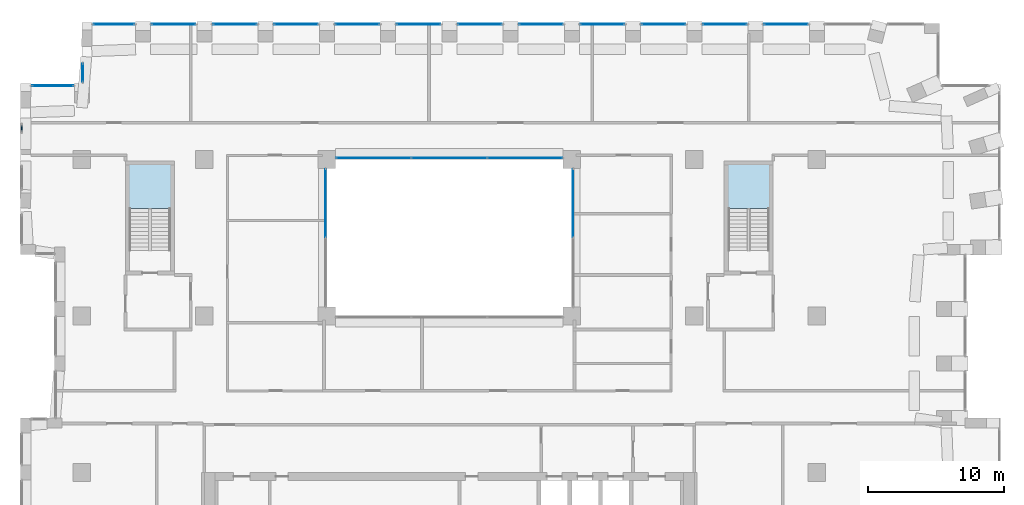
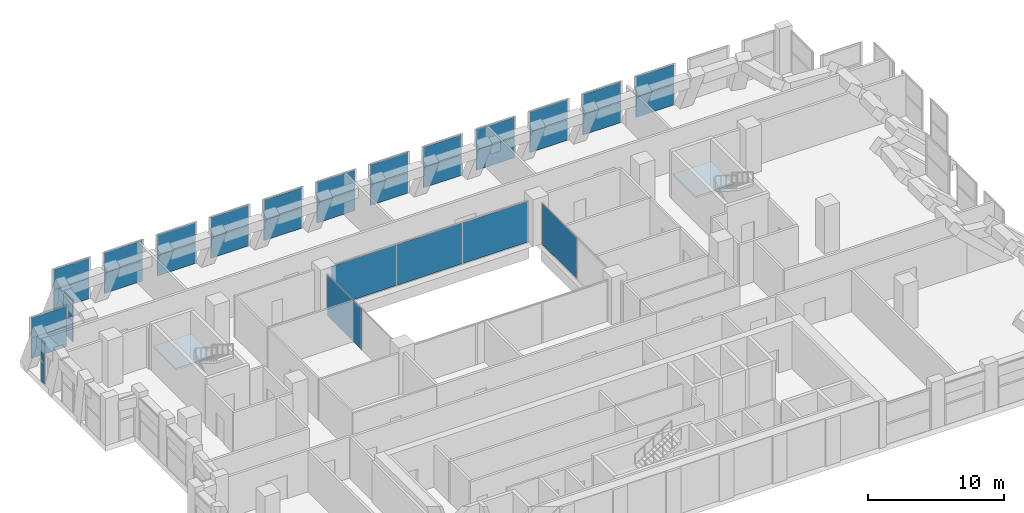
# One storey, part 14 of 20: 35 plates, 2 slabs, 20 elements without a shape of their own.
"""IFC4 building model written with IfcOpenShell, lengths in metres."""

import ifcopenshell
import ifcopenshell.guid

model = None  # the IFC model being written
_history = None  # IfcOwnerHistory: only IFC2X3 demands one
_inside = {}  # id of a spatial element -> (the spatial element, [elements in it])
_under = {}  # id of a project, library or spatial element -> (it, [spatial elements below it])
_declared = {}  # id of a project -> (the project, [libraries it declares])
_typed = {}  # id of a type object -> (the type object, [elements of that type])
_made_of = {}  # id of a material, layer set ... -> (it, [elements and type objects made of it])


def new_model(schema):
    """Start an empty IFC model of exactly this schema.

    Asked for "IFC4X3", IfcOpenShell would pick the latest addendum, in which some entities
    have other attributes; the version numbers below select the first issue.
    IFC2X3 requires an IfcOwnerHistory on every rooted entity: one is made here for all.
    """
    global model, _history
    if schema == "IFC4X3":
        model = ifcopenshell.file(schema_version=(4, 3, 0, 0))
    else:
        model = ifcopenshell.file(schema=schema)
    _inside.clear()
    _under.clear()
    _declared.clear()
    _typed.clear()
    _made_of.clear()
    _history = None
    if model.schema == "IFC2X3":
        org = make("IfcOrganization", Name="unknown")
        user = make(
            "IfcPersonAndOrganization",
            ThePerson=make("IfcPerson", FamilyName="unknown"),
            TheOrganization=org,
        )
        app = make(
            "IfcApplication",
            ApplicationDeveloper=org,
            Version="unknown",
            ApplicationFullName="unknown",
            ApplicationIdentifier="unknown",
        )
        _history = make(
            "IfcOwnerHistory",
            OwningUser=user,
            OwningApplication=app,
            ChangeAction="ADDED",
            CreationDate=0,
        )
    return model


def make(cls, **values):
    """One entity of the class cls with the attributes given. An attribute that is None is left unset."""
    return model.create_entity(
        cls, **{name: value for name, value in values.items() if value is not None}
    )


def rooted(cls, **values):
    """An entity with a GlobalId (a new one), such as an element, a storey or a relation."""
    return make(cls, GlobalId=ifcopenshell.guid.new(), OwnerHistory=_history, **values)


def si_unit(unit_type, name, prefix=None):
    """IfcSIUnit, for example si_unit("LENGTHUNIT", "METRE", prefix="MILLI")."""
    return make("IfcSIUnit", UnitType=unit_type, Prefix=prefix, Name=name)


def assignment(units):
    """IfcUnitAssignment: the units of a project."""
    return None if units is None else make("IfcUnitAssignment", Units=units)


def point(xyz):
    """IfcCartesianPoint."""
    return None if xyz is None else make("IfcCartesianPoint", Coordinates=xyz)


def direction(xyz):
    """IfcDirection."""
    return None if xyz is None else make("IfcDirection", DirectionRatios=xyz)


def frame(location, z_axis=None, x_axis=None):
    """IfcAxis2Placement3D, a coordinate frame: its origin and axes. An axis left out is left unset."""
    return make(
        "IfcAxis2Placement3D",
        Location=point(location),
        Axis=direction(z_axis),
        RefDirection=direction(x_axis),
    )


def frame_2d(location, x_axis=None):
    """IfcAxis2Placement2D, a coordinate frame in the plane: its origin and x axis."""
    return make(
        "IfcAxis2Placement2D", Location=point(location), RefDirection=direction(x_axis)
    )


def origin():
    """The frame at (0, 0, 0) with its axes left unset."""
    return frame((0.0, 0.0, 0.0))


def origin_2d():
    """The frame at (0, 0) in the plane with its x axis left unset."""
    return frame_2d((0.0, 0.0))


def place(relative_to, where):
    """IfcLocalPlacement: puts the frame where relative to a parent placement (None: the world)."""
    return make(
        "IfcLocalPlacement", PlacementRelTo=relative_to, RelativePlacement=where
    )


def context(
    kind, dimensions, precision=None, world=None, true_north=None, identifier=None
):
    """IfcGeometricRepresentationContext, for example the 3D "Model" context."""
    return make(
        "IfcGeometricRepresentationContext",
        ContextIdentifier=identifier,
        ContextType=kind,
        CoordinateSpaceDimension=dimensions,
        Precision=precision,
        WorldCoordinateSystem=world,
        TrueNorth=true_north,
    )


def subcontext(parent, identifier, kind, view, scale=None):
    """IfcGeometricRepresentationSubContext, for example "Body" below "Model"."""
    return make(
        "IfcGeometricRepresentationSubContext",
        ContextIdentifier=identifier,
        ContextType=kind,
        ParentContext=parent,
        TargetScale=scale,
        TargetView=view,
    )


def project(units=None, contexts=None):
    """IfcProject with its units and contexts."""
    return rooted(
        "IfcProject",
        Name="project",
        RepresentationContexts=contexts,
        UnitsInContext=assignment(units),
    )


def spatial(cls, under=None, at=None, **own):
    """A site, building, storey or space (cls), placed at a placement, below another one or the project."""
    s = rooted(cls, ObjectPlacement=at, **own)
    if under is not None:
        _under.setdefault(under.id(), (under, []))[1].append(s)
    return s


def polyline(points):
    """IfcPolyline through the points."""
    return make("IfcPolyline", Points=[point(p) for p in points])


def profile(cls, at=None, kind="AREA", **sizes):
    """A parametric profile (cls). Its sizes go by their IFC names, for example OverallWidth=200.0."""
    return make(cls, ProfileType=kind, Position=at, **sizes)


def rectangle(**sizes):
    """IfcRectangleProfileDef."""
    return profile("IfcRectangleProfileDef", **sizes)


def outline(outer, holes=None, kind="AREA"):
    """IfcArbitraryClosedProfileDef: a profile drawn as a closed curve; with holes, ...WithVoids."""
    if holes is None:
        return make("IfcArbitraryClosedProfileDef", ProfileType=kind, OuterCurve=outer)
    return make(
        "IfcArbitraryProfileDefWithVoids",
        ProfileType=kind,
        OuterCurve=outer,
        InnerCurves=holes,
    )


def extrude(swept, where, along, depth):
    """IfcExtrudedAreaSolid: the profile swept, set in the frame where, extruded along a direction by depth."""
    return make(
        "IfcExtrudedAreaSolid",
        SweptArea=swept,
        Position=where,
        ExtrudedDirection=direction(along),
        Depth=depth,
    )


def shape(context_of_items, identifier, shape_type, items):
    """IfcShapeRepresentation: the items that make up one representation, for example the "Body"."""
    return make(
        "IfcShapeRepresentation",
        ContextOfItems=context_of_items,
        RepresentationIdentifier=identifier,
        RepresentationType=shape_type,
        Items=items,
    )


def material(Name=None, Category=None):
    """IfcMaterial."""
    return make("IfcMaterial", Name=Name, Category=Category)


def layer(
    of_material, thickness, ventilated=None, Name=None, Category=None, Priority=None
):
    """IfcMaterialLayer: one layer of a wall or slab, of a material (None: an air gap)."""
    return make(
        "IfcMaterialLayer",
        Material=of_material,
        LayerThickness=thickness,
        IsVentilated=ventilated,
        Name=Name,
        Category=Category,
        Priority=Priority,
    )


def layer_set(layers, Name=None):
    """IfcMaterialLayerSet."""
    return make("IfcMaterialLayerSet", MaterialLayers=layers, LayerSetName=Name)


def made_of(thing, what):
    """Note that an element or type object is made of a material, layer set ...; save() writes the relation."""
    if what is not None:
        _made_of.setdefault(what.id(), (what, []))[1].append(thing)
    return thing


def type_object(cls, material=None, **own):
    """A type object (cls), such as IfcWallType, which elements share."""
    return made_of(rooted(cls, **own), material)


def element(
    cls,
    number,
    at=None,
    inside=None,
    cuts=None,
    type_object=None,
    material=None,
    context=None,
    identifier="Body",
    shape_type=None,
    held_by="IfcProductDefinitionShape",
    body=None,
    shapes=None,
    **own,
):
    """One element of the class cls, such as IfcWall. Its Tag is "e" and its number.

    at: its placement. inside: the storey or other place that contains it. cuts: it is an
    opening in that element (IfcRelVoidsElement). A single representation is given by context,
    identifier, shape_type and body (its items); several are given by shapes. held_by: the class
    of the entity that holds the representations. save() writes the other relations.
    """
    e = rooted(cls, Tag="e%d" % number, ObjectPlacement=at, **own)
    if body is not None:
        shapes = [shape(context, identifier, shape_type, body)]
    if shapes is not None:
        e.Representation = make(held_by, Representations=shapes)
    if inside is not None:
        _inside.setdefault(inside.id(), (inside, []))[1].append(e)
    if cuts is not None:
        rooted(
            "IfcRelVoidsElement", RelatingBuildingElement=cuts, RelatedOpeningElement=e
        )
    if type_object is not None:
        _typed.setdefault(type_object.id(), (type_object, []))[1].append(e)
    return made_of(e, material)


def aggregate(whole, parts):
    """IfcRelAggregates: a whole, such as a stair, and the parts it consists of."""
    return rooted("IfcRelAggregates", RelatingObject=whole, RelatedObjects=parts)


def save(model, path):
    """Write the relations noted so far, then the file.

    IfcRelAggregates (storeys below a building ...), IfcRelContainedInSpatialStructure (elements
    in a storey), IfcRelDefinesByType, IfcRelAssociatesMaterial and IfcRelDeclares: one each for
    every whole, place, type object, material and project.
    """
    for whole, parts in _under.values():
        aggregate(whole, parts)
    for where, things in _inside.values():
        rooted(
            "IfcRelContainedInSpatialStructure",
            RelatedElements=things,
            RelatingStructure=where,
        )
    for kind, things in _typed.values():
        rooted("IfcRelDefinesByType", RelatedObjects=things, RelatingType=kind)
    for what, things in _made_of.values():
        rooted("IfcRelAssociatesMaterial", RelatedObjects=things, RelatingMaterial=what)
    for by, libraries in _declared.values():
        rooted("IfcRelDeclares", RelatingContext=by, RelatedDefinitions=libraries)
    model.write(path)


model = new_model("IFC4")

# Units and contexts
model_context = context("Model", 3, precision=1e-05, world=origin(), true_north=direction((0.0, 1.0)))
body_context = subcontext(model_context, "Body", "Model", "MODEL_VIEW")
ifc_project = project(units=[si_unit("LENGTHUNIT", "METRE"), si_unit("AREAUNIT", "SQUARE_METRE"), si_unit("VOLUMEUNIT", "CUBIC_METRE"), si_unit("PLANEANGLEUNIT", "RADIAN"), si_unit("MASSUNIT", "GRAM", prefix="KILO")], contexts=[model_context])

# Site, building, storey
site_placement = place(None, origin())
site = spatial("IfcSite", under=ifc_project, at=site_placement, CompositionType="ELEMENT")
building_placement = place(site_placement, origin())
building = spatial("IfcBuilding", under=site, at=building_placement, Name="Brigalow Station Residences", CompositionType="ELEMENT")
storey_placement = place(building_placement, frame((0.0, 0.0, 137.10009765625)))
storey = spatial("IfcBuildingStorey", under=building, at=storey_placement, Name="L39", CompositionType="ELEMENT", Elevation=137.10009765625)

# Curtain wall, plate
ifc_material_1 = material(Name="Aluminium", Category="aluminium")
ifc_layer_1 = layer(ifc_material_1, 0.14990234375)
ifc_layer_set_1 = layer_set([ifc_layer_1], Name="ATRIUM FIRE-RATED GLAZING CURTAIN WALL")
curtain_wall_type_1 = type_object("IfcCurtainWallType", Name="ATRIUM FIRE-RATED GLAZING CURTAIN WALL", PredefinedType="NOTDEFINED", material=ifc_layer_set_1)
curtain_wall_1_placement = place(storey_placement, origin())
curtain_wall_1 = element("IfcCurtainWall", 1, at=curtain_wall_1_placement, inside=storey, type_object=curtain_wall_type_1, Name="L39/cw/atrium-E", PredefinedType="NOTDEFINED")
ifc_material_2 = material(Name="Fire-resisting laminated glazing, FRL -/60/-", Category="glass")
ifc_layer_2 = layer(ifc_material_2, 0.031982421875)
ifc_layer_set_2 = layer_set([ifc_layer_2], Name="ATRIUM FIRE-RATED GLAZING PANEL 32")
plate_type_1 = type_object("IfcPlateType", Name="ATRIUM FIRE-RATED GLAZING PANEL 32", PredefinedType="CURTAIN_PANEL", material=ifc_layer_set_2)
plate_1_placement = place(storey_placement, frame((45.10009765625, 32.284912109375, 0.0), z_axis=(0.0, 0.0, 1.0), x_axis=(0.0, 1.0, 0.0)))
plate_1 = element("IfcPlate", 2, at=plate_1_placement, type_object=plate_type_1, Name="L39/cw/atrium-E/P01-00", PredefinedType="CURTAIN_PANEL", context=body_context, shape_type="SweptSolid", body=[
    extrude(rectangle(XDim=5.010009765625, YDim=0.031982421875, at=origin_2d()), origin(), (0.0, 0.0, 1.0), 3.639892578125),
])
aggregate(curtain_wall_1, [plate_1])

# Curtain wall, plates
curtain_wall_2_placement = place(storey_placement, origin())
curtain_wall_2 = element("IfcCurtainWall", 3, at=curtain_wall_2_placement, inside=storey, type_object=curtain_wall_type_1, Name="L39/cw/atrium-N", PredefinedType="NOTDEFINED")
plate_2_placement = place(storey_placement, frame((41.5517578125, 35.60009765625, 0.0), z_axis=(0.0, 0.0, 1.0), x_axis=(-1.0, 0.0, 0.0)))
plate_2 = element("IfcPlate", 4, at=plate_2_placement, type_object=plate_type_1, Name="L39/cw/atrium-N/P00-00", PredefinedType="CURTAIN_PANEL", context=body_context, shape_type="SweptSolid", body=[
    extrude(rectangle(XDim=5.476806640625, YDim=0.031982421875, at=origin_2d()), origin(), (0.0, 0.0, 1.0), 3.639892578125),
])
plate_3_placement = place(storey_placement, frame((36.0, 35.60009765625, 0.0), z_axis=(0.0, 0.0, 1.0), x_axis=(-1.0, 0.0, 0.0)))
plate_3 = element("IfcPlate", 5, at=plate_3_placement, type_object=plate_type_1, Name="L39/cw/atrium-N/P01-00", PredefinedType="CURTAIN_PANEL", context=body_context, shape_type="SweptSolid", body=[
    extrude(rectangle(XDim=5.506591796875, YDim=0.031982421875, at=origin_2d()), origin(), (0.0, 0.0, 1.0), 3.639892578125),
])
plate_4_placement = place(storey_placement, frame((30.4482421875, 35.60009765625, 0.0), z_axis=(0.0, 0.0, 1.0), x_axis=(-1.0, 0.0, 0.0)))
plate_4 = element("IfcPlate", 6, at=plate_4_placement, type_object=plate_type_1, Name="L39/cw/atrium-N/P02-00", PredefinedType="CURTAIN_PANEL", context=body_context, shape_type="SweptSolid", body=[
    extrude(rectangle(XDim=5.476806640625, YDim=0.031982421875, at=origin_2d()), origin(), (0.0, 0.0, 1.0), 3.639892578125),
])
aggregate(curtain_wall_2, [plate_2, plate_3, plate_4])

# Curtain wall, plate
curtain_wall_3_placement = place(storey_placement, origin())
curtain_wall_3 = element("IfcCurtainWall", 7, at=curtain_wall_3_placement, inside=storey, type_object=curtain_wall_type_1, Name="L39/cw/atrium-W", PredefinedType="NOTDEFINED")
plate_5_placement = place(storey_placement, frame((26.89990234375, 32.284912109375, 0.0), z_axis=(0.0, 0.0, 1.0), x_axis=(0.0, -1.0, 0.0)))
plate_5 = element("IfcPlate", 8, at=plate_5_placement, type_object=plate_type_1, Name="L39/cw/atrium-W/P00-00", PredefinedType="CURTAIN_PANEL", context=body_context, shape_type="SweptSolid", body=[
    extrude(rectangle(XDim=5.010009765625, YDim=0.031982421875, at=origin_2d()), origin(), (0.0, 0.0, 1.0), 3.639892578125),
])
aggregate(curtain_wall_3, [plate_5])

# Curtain wall, plates
ifc_material_3 = material(Name="Aluminium", Category="aluminium")
ifc_layer_3 = layer(ifc_material_3, 0.199951171875)
ifc_layer_set_3 = layer_set([ifc_layer_3], Name="REFUGE FLOOR LOUVRE CURTAIN WALL")
curtain_wall_type_2 = type_object("IfcCurtainWallType", Name="REFUGE FLOOR LOUVRE CURTAIN WALL", PredefinedType="NOTDEFINED", material=ifc_layer_set_3)
curtain_wall_4_placement = place(storey_placement, origin())
curtain_wall_4 = element("IfcCurtainWall", 9, at=curtain_wall_4_placement, inside=storey, type_object=curtain_wall_type_2, Name="L39/cw/louvre-W-L39-23-22", PredefinedType="NOTDEFINED")
ifc_material_4 = material(Name="Aluminium louvre blade", Category="aluminium")
ifc_layer_4 = layer(ifc_material_4, 0.070068359375)
ifc_layer_set_4 = layer_set([ifc_layer_4], Name="REFUGE FLOOR LOUVRE PANEL 70")
plate_type_2 = type_object("IfcPlateType", Name="REFUGE FLOOR LOUVRE PANEL 70", PredefinedType="CURTAIN_PANEL", material=ifc_layer_set_4)
plate_6_placement = place(storey_placement, frame((60.75, 45.425048828125, -0.000244140625), z_axis=(0.0, 0.0, 1.0), x_axis=(-1.0, 0.0, 0.0)))
plate_6 = element("IfcPlate", 10, at=plate_6_placement, type_object=plate_type_2, Name="L39/cw/louvre-W-L39-23-22/P00-00", PredefinedType="CURTAIN_PANEL", context=body_context, shape_type="SweptSolid", body=[
    extrude(rectangle(XDim=3.199951171875, YDim=0.070068359375, at=origin_2d()), origin(), (0.0, 0.0, 1.0), 1.81005859375),
])
plate_7_placement = place(storey_placement, frame((60.75, 45.425048828125, 1.889892578125), z_axis=(0.0, 0.0, 1.0), x_axis=(-1.0, 0.0, 0.0)))
plate_7 = element("IfcPlate", 11, at=plate_7_placement, type_object=plate_type_2, Name="L39/cw/louvre-W-L39-23-22/P00-01", PredefinedType="CURTAIN_PANEL", context=body_context, shape_type="SweptSolid", body=[
    extrude(rectangle(XDim=3.199951171875, YDim=0.070068359375, at=origin_2d()), origin(), (0.0, 0.0, 1.0), 1.72998046875),
])
aggregate(curtain_wall_4, [plate_6, plate_7])

curtain_wall_5_placement = place(storey_placement, origin())
curtain_wall_5 = element("IfcCurtainWall", 12, at=curtain_wall_5_placement, inside=storey, type_object=curtain_wall_type_2, Name="L39/cw/louvre-W-L39-23-23", PredefinedType="NOTDEFINED")
plate_8_placement = place(storey_placement, frame((56.25, 45.425048828125, -0.000244140625), z_axis=(0.0, 0.0, 1.0), x_axis=(-1.0, 0.0, 0.0)))
plate_8 = element("IfcPlate", 13, at=plate_8_placement, type_object=plate_type_2, Name="L39/cw/louvre-W-L39-23-23/P00-00", PredefinedType="CURTAIN_PANEL", context=body_context, shape_type="SweptSolid", body=[
    extrude(rectangle(XDim=3.199951171875, YDim=0.070068359375, at=origin_2d()), origin(), (0.0, 0.0, 1.0), 1.81005859375),
])
plate_9_placement = place(storey_placement, frame((56.25, 45.425048828125, 1.889892578125), z_axis=(0.0, 0.0, 1.0), x_axis=(-1.0, 0.0, 0.0)))
plate_9 = element("IfcPlate", 14, at=plate_9_placement, type_object=plate_type_2, Name="L39/cw/louvre-W-L39-23-23/P00-01", PredefinedType="CURTAIN_PANEL", context=body_context, shape_type="SweptSolid", body=[
    extrude(rectangle(XDim=3.199951171875, YDim=0.070068359375, at=origin_2d()), origin(), (0.0, 0.0, 1.0), 1.72998046875),
])
aggregate(curtain_wall_5, [plate_8, plate_9])

curtain_wall_6_placement = place(storey_placement, origin())
curtain_wall_6 = element("IfcCurtainWall", 15, at=curtain_wall_6_placement, inside=storey, type_object=curtain_wall_type_2, Name="L39/cw/louvre-W-L39-23-24", PredefinedType="NOTDEFINED")
plate_10_placement = place(storey_placement, frame((51.75, 45.425048828125, -0.000244140625), z_axis=(0.0, 0.0, 1.0), x_axis=(-1.0, 0.0, 0.0)))
plate_10 = element("IfcPlate", 16, at=plate_10_placement, type_object=plate_type_2, Name="L39/cw/louvre-W-L39-23-24/P00-00", PredefinedType="CURTAIN_PANEL", context=body_context, shape_type="SweptSolid", body=[
    extrude(rectangle(XDim=3.199951171875, YDim=0.070068359375, at=origin_2d()), origin(), (0.0, 0.0, 1.0), 1.81005859375),
])
plate_11_placement = place(storey_placement, frame((51.75, 45.425048828125, 1.889892578125), z_axis=(0.0, 0.0, 1.0), x_axis=(-1.0, 0.0, 0.0)))
plate_11 = element("IfcPlate", 17, at=plate_11_placement, type_object=plate_type_2, Name="L39/cw/louvre-W-L39-23-24/P00-01", PredefinedType="CURTAIN_PANEL", context=body_context, shape_type="SweptSolid", body=[
    extrude(rectangle(XDim=3.199951171875, YDim=0.070068359375, at=origin_2d()), origin(), (0.0, 0.0, 1.0), 1.72998046875),
])
aggregate(curtain_wall_6, [plate_10, plate_11])

curtain_wall_7_placement = place(storey_placement, origin())
curtain_wall_7 = element("IfcCurtainWall", 18, at=curtain_wall_7_placement, inside=storey, type_object=curtain_wall_type_2, Name="L39/cw/louvre-W-L39-23-25", PredefinedType="NOTDEFINED")
plate_12_placement = place(storey_placement, frame((47.25, 45.425048828125, -0.000244140625), z_axis=(0.0, 0.0, 1.0), x_axis=(-1.0, 0.0, 0.0)))
plate_12 = element("IfcPlate", 19, at=plate_12_placement, type_object=plate_type_2, Name="L39/cw/louvre-W-L39-23-25/P00-00", PredefinedType="CURTAIN_PANEL", context=body_context, shape_type="SweptSolid", body=[
    extrude(rectangle(XDim=3.199951171875, YDim=0.070068359375, at=origin_2d()), origin(), (0.0, 0.0, 1.0), 1.81005859375),
])
plate_13_placement = place(storey_placement, frame((47.25, 45.425048828125, 1.889892578125), z_axis=(0.0, 0.0, 1.0), x_axis=(-1.0, 0.0, 0.0)))
plate_13 = element("IfcPlate", 20, at=plate_13_placement, type_object=plate_type_2, Name="L39/cw/louvre-W-L39-23-25/P00-01", PredefinedType="CURTAIN_PANEL", context=body_context, shape_type="SweptSolid", body=[
    extrude(rectangle(XDim=3.199951171875, YDim=0.070068359375, at=origin_2d()), origin(), (0.0, 0.0, 1.0), 1.72998046875),
])
aggregate(curtain_wall_7, [plate_12, plate_13])

curtain_wall_8_placement = place(storey_placement, origin())
curtain_wall_8 = element("IfcCurtainWall", 21, at=curtain_wall_8_placement, inside=storey, type_object=curtain_wall_type_2, Name="L39/cw/louvre-W-L39-23-26", PredefinedType="NOTDEFINED")
plate_14_placement = place(storey_placement, frame((42.75, 45.425048828125, -0.000244140625), z_axis=(0.0, 0.0, 1.0), x_axis=(-1.0, 0.0, 0.0)))
plate_14 = element("IfcPlate", 22, at=plate_14_placement, type_object=plate_type_2, Name="L39/cw/louvre-W-L39-23-26/P00-00", PredefinedType="CURTAIN_PANEL", context=body_context, shape_type="SweptSolid", body=[
    extrude(rectangle(XDim=3.199951171875, YDim=0.070068359375, at=origin_2d()), origin(), (0.0, 0.0, 1.0), 1.81005859375),
])
plate_15_placement = place(storey_placement, frame((42.75, 45.425048828125, 1.889892578125), z_axis=(0.0, 0.0, 1.0), x_axis=(-1.0, 0.0, 0.0)))
plate_15 = element("IfcPlate", 23, at=plate_15_placement, type_object=plate_type_2, Name="L39/cw/louvre-W-L39-23-26/P00-01", PredefinedType="CURTAIN_PANEL", context=body_context, shape_type="SweptSolid", body=[
    extrude(rectangle(XDim=3.199951171875, YDim=0.070068359375, at=origin_2d()), origin(), (0.0, 0.0, 1.0), 1.72998046875),
])
aggregate(curtain_wall_8, [plate_14, plate_15])

curtain_wall_9_placement = place(storey_placement, origin())
curtain_wall_9 = element("IfcCurtainWall", 24, at=curtain_wall_9_placement, inside=storey, type_object=curtain_wall_type_2, Name="L39/cw/louvre-W-L39-23-27", PredefinedType="NOTDEFINED")
plate_16_placement = place(storey_placement, frame((38.25, 45.425048828125, -0.000244140625), z_axis=(0.0, 0.0, 1.0), x_axis=(-1.0, 0.0, 0.0)))
plate_16 = element("IfcPlate", 25, at=plate_16_placement, type_object=plate_type_2, Name="L39/cw/louvre-W-L39-23-27/P00-00", PredefinedType="CURTAIN_PANEL", context=body_context, shape_type="SweptSolid", body=[
    extrude(rectangle(XDim=3.199951171875, YDim=0.070068359375, at=origin_2d()), origin(), (0.0, 0.0, 1.0), 1.81005859375),
])
plate_17_placement = place(storey_placement, frame((38.25, 45.425048828125, 1.889892578125), z_axis=(0.0, 0.0, 1.0), x_axis=(-1.0, 0.0, 0.0)))
plate_17 = element("IfcPlate", 26, at=plate_17_placement, type_object=plate_type_2, Name="L39/cw/louvre-W-L39-23-27/P00-01", PredefinedType="CURTAIN_PANEL", context=body_context, shape_type="SweptSolid", body=[
    extrude(rectangle(XDim=3.199951171875, YDim=0.070068359375, at=origin_2d()), origin(), (0.0, 0.0, 1.0), 1.72998046875),
])
aggregate(curtain_wall_9, [plate_16, plate_17])

curtain_wall_10_placement = place(storey_placement, origin())
curtain_wall_10 = element("IfcCurtainWall", 27, at=curtain_wall_10_placement, inside=storey, type_object=curtain_wall_type_2, Name="L39/cw/louvre-W-L39-23-28", PredefinedType="NOTDEFINED")
plate_18_placement = place(storey_placement, frame((33.75, 45.425048828125, -0.000244140625), z_axis=(0.0, 0.0, 1.0), x_axis=(-1.0, 0.0, 0.0)))
plate_18 = element("IfcPlate", 28, at=plate_18_placement, type_object=plate_type_2, Name="L39/cw/louvre-W-L39-23-28/P00-00", PredefinedType="CURTAIN_PANEL", context=body_context, shape_type="SweptSolid", body=[
    extrude(rectangle(XDim=3.199951171875, YDim=0.070068359375, at=origin_2d()), origin(), (0.0, 0.0, 1.0), 1.81005859375),
])
plate_19_placement = place(storey_placement, frame((33.75, 45.425048828125, 1.889892578125), z_axis=(0.0, 0.0, 1.0), x_axis=(-1.0, 0.0, 0.0)))
plate_19 = element("IfcPlate", 29, at=plate_19_placement, type_object=plate_type_2, Name="L39/cw/louvre-W-L39-23-28/P00-01", PredefinedType="CURTAIN_PANEL", context=body_context, shape_type="SweptSolid", body=[
    extrude(rectangle(XDim=3.199951171875, YDim=0.070068359375, at=origin_2d()), origin(), (0.0, 0.0, 1.0), 1.72998046875),
])
aggregate(curtain_wall_10, [plate_18, plate_19])

curtain_wall_11_placement = place(storey_placement, origin())
curtain_wall_11 = element("IfcCurtainWall", 30, at=curtain_wall_11_placement, inside=storey, type_object=curtain_wall_type_2, Name="L39/cw/louvre-W-L39-23-29", PredefinedType="NOTDEFINED")
plate_20_placement = place(storey_placement, frame((29.25, 45.425048828125, -0.000244140625), z_axis=(0.0, 0.0, 1.0), x_axis=(-1.0, 0.0, 0.0)))
plate_20 = element("IfcPlate", 31, at=plate_20_placement, type_object=plate_type_2, Name="L39/cw/louvre-W-L39-23-29/P00-00", PredefinedType="CURTAIN_PANEL", context=body_context, shape_type="SweptSolid", body=[
    extrude(rectangle(XDim=3.199951171875, YDim=0.070068359375, at=origin_2d()), origin(), (0.0, 0.0, 1.0), 1.81005859375),
])
plate_21_placement = place(storey_placement, frame((29.25, 45.425048828125, 1.889892578125), z_axis=(0.0, 0.0, 1.0), x_axis=(-1.0, 0.0, 0.0)))
plate_21 = element("IfcPlate", 32, at=plate_21_placement, type_object=plate_type_2, Name="L39/cw/louvre-W-L39-23-29/P00-01", PredefinedType="CURTAIN_PANEL", context=body_context, shape_type="SweptSolid", body=[
    extrude(rectangle(XDim=3.199951171875, YDim=0.070068359375, at=origin_2d()), origin(), (0.0, 0.0, 1.0), 1.72998046875),
])
aggregate(curtain_wall_11, [plate_20, plate_21])

curtain_wall_12_placement = place(storey_placement, origin())
curtain_wall_12 = element("IfcCurtainWall", 33, at=curtain_wall_12_placement, inside=storey, type_object=curtain_wall_type_2, Name="L39/cw/louvre-W-L39-23-30", PredefinedType="NOTDEFINED")
plate_22_placement = place(storey_placement, frame((24.75, 45.425048828125, -0.000244140625), z_axis=(0.0, 0.0, 1.0), x_axis=(-1.0, 0.0, 0.0)))
plate_22 = element("IfcPlate", 34, at=plate_22_placement, type_object=plate_type_2, Name="L39/cw/louvre-W-L39-23-30/P00-00", PredefinedType="CURTAIN_PANEL", context=body_context, shape_type="SweptSolid", body=[
    extrude(rectangle(XDim=3.199951171875, YDim=0.070068359375, at=origin_2d()), origin(), (0.0, 0.0, 1.0), 1.81005859375),
])
plate_23_placement = place(storey_placement, frame((24.75, 45.425048828125, 1.889892578125), z_axis=(0.0, 0.0, 1.0), x_axis=(-1.0, 0.0, 0.0)))
plate_23 = element("IfcPlate", 35, at=plate_23_placement, type_object=plate_type_2, Name="L39/cw/louvre-W-L39-23-30/P00-01", PredefinedType="CURTAIN_PANEL", context=body_context, shape_type="SweptSolid", body=[
    extrude(rectangle(XDim=3.199951171875, YDim=0.070068359375, at=origin_2d()), origin(), (0.0, 0.0, 1.0), 1.72998046875),
])
aggregate(curtain_wall_12, [plate_22, plate_23])

curtain_wall_13_placement = place(storey_placement, origin())
curtain_wall_13 = element("IfcCurtainWall", 36, at=curtain_wall_13_placement, inside=storey, type_object=curtain_wall_type_2, Name="L39/cw/louvre-W-L39-23-31", PredefinedType="NOTDEFINED")
plate_24_placement = place(storey_placement, frame((20.25, 45.425048828125, -0.000244140625), z_axis=(0.0, 0.0, 1.0), x_axis=(-1.0, 0.0, 0.0)))
plate_24 = element("IfcPlate", 37, at=plate_24_placement, type_object=plate_type_2, Name="L39/cw/louvre-W-L39-23-31/P00-00", PredefinedType="CURTAIN_PANEL", context=body_context, shape_type="SweptSolid", body=[
    extrude(rectangle(XDim=3.199951171875, YDim=0.070068359375, at=origin_2d()), origin(), (0.0, 0.0, 1.0), 1.81005859375),
])
plate_25_placement = place(storey_placement, frame((20.25, 45.425048828125, 1.889892578125), z_axis=(0.0, 0.0, 1.0), x_axis=(-1.0, 0.0, 0.0)))
plate_25 = element("IfcPlate", 38, at=plate_25_placement, type_object=plate_type_2, Name="L39/cw/louvre-W-L39-23-31/P00-01", PredefinedType="CURTAIN_PANEL", context=body_context, shape_type="SweptSolid", body=[
    extrude(rectangle(XDim=3.199951171875, YDim=0.070068359375, at=origin_2d()), origin(), (0.0, 0.0, 1.0), 1.72998046875),
])
aggregate(curtain_wall_13, [plate_24, plate_25])

curtain_wall_14_placement = place(storey_placement, origin())
curtain_wall_14 = element("IfcCurtainWall", 39, at=curtain_wall_14_placement, inside=storey, type_object=curtain_wall_type_2, Name="L39/cw/louvre-W-L39-23-32", PredefinedType="NOTDEFINED")
plate_26_placement = place(storey_placement, frame((15.75, 45.425048828125, -0.000244140625), z_axis=(0.0, 0.0, 1.0), x_axis=(-1.0, 0.0, 0.0)))
plate_26 = element("IfcPlate", 40, at=plate_26_placement, type_object=plate_type_2, Name="L39/cw/louvre-W-L39-23-32/P00-00", PredefinedType="CURTAIN_PANEL", context=body_context, shape_type="SweptSolid", body=[
    extrude(rectangle(XDim=3.199951171875, YDim=0.070068359375, at=origin_2d()), origin(), (0.0, 0.0, 1.0), 1.81005859375),
])
plate_27_placement = place(storey_placement, frame((15.75, 45.425048828125, 1.889892578125), z_axis=(0.0, 0.0, 1.0), x_axis=(-1.0, 0.0, 0.0)))
plate_27 = element("IfcPlate", 41, at=plate_27_placement, type_object=plate_type_2, Name="L39/cw/louvre-W-L39-23-32/P00-01", PredefinedType="CURTAIN_PANEL", context=body_context, shape_type="SweptSolid", body=[
    extrude(rectangle(XDim=3.199951171875, YDim=0.070068359375, at=origin_2d()), origin(), (0.0, 0.0, 1.0), 1.72998046875),
])
aggregate(curtain_wall_14, [plate_26, plate_27])

curtain_wall_15_placement = place(storey_placement, origin())
curtain_wall_15 = element("IfcCurtainWall", 42, at=curtain_wall_15_placement, inside=storey, type_object=curtain_wall_type_2, Name="L39/cw/louvre-W-L39-23-33", PredefinedType="NOTDEFINED")
plate_28_placement = place(storey_placement, frame((11.35302734375, 45.425048828125, -0.000244140625), z_axis=(0.0, 0.0, 1.0), x_axis=(-1.0, 0.0, 0.0)))
plate_28 = element("IfcPlate", 43, at=plate_28_placement, type_object=plate_type_2, Name="L39/cw/louvre-W-L39-23-33/P00-00", PredefinedType="CURTAIN_PANEL", context=body_context, shape_type="SweptSolid", body=[
    extrude(rectangle(XDim=2.993896484375, YDim=0.070068359375, at=origin_2d()), origin(), (0.0, 0.0, 1.0), 1.81005859375),
])
plate_29_placement = place(storey_placement, frame((11.35302734375, 45.425048828125, 1.889892578125), z_axis=(0.0, 0.0, 1.0), x_axis=(-1.0, 0.0, 0.0)))
plate_29 = element("IfcPlate", 44, at=plate_29_placement, type_object=plate_type_2, Name="L39/cw/louvre-W-L39-23-33/P00-01", PredefinedType="CURTAIN_PANEL", context=body_context, shape_type="SweptSolid", body=[
    extrude(rectangle(XDim=2.993896484375, YDim=0.070068359375, at=origin_2d()), origin(), (0.0, 0.0, 1.0), 1.72998046875),
])
aggregate(curtain_wall_15, [plate_28, plate_29])

curtain_wall_16_placement = place(storey_placement, origin())
curtain_wall_16 = element("IfcCurtainWall", 45, at=curtain_wall_16_placement, inside=storey, type_object=curtain_wall_type_2, Name="L39/cw/louvre-W-L39-37-34", PredefinedType="NOTDEFINED")
plate_30_placement = place(storey_placement, frame((9.074951171875, 41.868408203125, -0.000244140625), z_axis=(0.0, 0.0, 1.0), x_axis=(0.0, -1.0, 0.0)))
plate_30 = element("IfcPlate", 46, at=plate_30_placement, type_object=plate_type_2, Name="L39/cw/louvre-W-L39-37-34/P00-00", PredefinedType="CURTAIN_PANEL", context=body_context, shape_type="SweptSolid", body=[
    extrude(rectangle(XDim=1.289794921875, YDim=0.070068359375, at=origin_2d()), origin(), (0.0, 0.0, 1.0), 1.81005859375),
])
plate_31_placement = place(storey_placement, frame((9.074951171875, 41.868408203125, 1.889892578125), z_axis=(0.0, 0.0, 1.0), x_axis=(0.0, -1.0, 0.0)))
plate_31 = element("IfcPlate", 47, at=plate_31_placement, type_object=plate_type_2, Name="L39/cw/louvre-W-L39-37-34/P00-01", PredefinedType="CURTAIN_PANEL", context=body_context, shape_type="SweptSolid", body=[
    extrude(rectangle(XDim=1.289794921875, YDim=0.070068359375, at=origin_2d()), origin(), (0.0, 0.0, 1.0), 1.72998046875),
])
aggregate(curtain_wall_16, [plate_30, plate_31])

curtain_wall_17_placement = place(storey_placement, origin())
curtain_wall_17 = element("IfcCurtainWall", 48, at=curtain_wall_17_placement, inside=storey, type_object=curtain_wall_type_2, Name="L39/cw/louvre-W-L39-38-35", PredefinedType="NOTDEFINED")
plate_32_placement = place(storey_placement, frame((6.85302734375, 40.925048828125, -0.000244140625), z_axis=(0.0, 0.0, 1.0), x_axis=(-1.0, 0.0, 0.0)))
plate_32 = element("IfcPlate", 49, at=plate_32_placement, type_object=plate_type_2, Name="L39/cw/louvre-W-L39-38-35/P00-00", PredefinedType="CURTAIN_PANEL", context=body_context, shape_type="SweptSolid", body=[
    extrude(rectangle(XDim=2.993896484375, YDim=0.070068359375, at=origin_2d()), origin(), (0.0, 0.0, 1.0), 1.81005859375),
])
plate_33_placement = place(storey_placement, frame((6.85302734375, 40.925048828125, 1.889892578125), z_axis=(0.0, 0.0, 1.0), x_axis=(-1.0, 0.0, 0.0)))
plate_33 = element("IfcPlate", 50, at=plate_33_placement, type_object=plate_type_2, Name="L39/cw/louvre-W-L39-38-35/P00-01", PredefinedType="CURTAIN_PANEL", context=body_context, shape_type="SweptSolid", body=[
    extrude(rectangle(XDim=2.993896484375, YDim=0.070068359375, at=origin_2d()), origin(), (0.0, 0.0, 1.0), 1.72998046875),
])
aggregate(curtain_wall_17, [plate_32, plate_33])

curtain_wall_18_placement = place(storey_placement, origin())
curtain_wall_18 = element("IfcCurtainWall", 51, at=curtain_wall_18_placement, inside=storey, type_object=curtain_wall_type_2, Name="L39/cw/louvre-W-L39-39-36", PredefinedType="NOTDEFINED")
plate_34_placement = place(storey_placement, frame((4.574951171875, 37.790771484375, -0.000244140625), z_axis=(0.0, 0.0, 1.0), x_axis=(0.0, -1.0, 0.0)))
plate_34 = element("IfcPlate", 52, at=plate_34_placement, type_object=plate_type_2, Name="L39/cw/louvre-W-L39-39-36/P00-00", PredefinedType="CURTAIN_PANEL", context=body_context, shape_type="SweptSolid", body=[
    extrude(rectangle(XDim=0.445068359375, YDim=0.070068359375, at=origin_2d()), origin(), (0.0, 0.0, 1.0), 1.81005859375),
])
plate_35_placement = place(storey_placement, frame((4.574951171875, 37.790771484375, 1.889892578125), z_axis=(0.0, 0.0, 1.0), x_axis=(0.0, -1.0, 0.0)))
plate_35 = element("IfcPlate", 53, at=plate_35_placement, type_object=plate_type_2, Name="L39/cw/louvre-W-L39-39-36/P00-01", PredefinedType="CURTAIN_PANEL", context=body_context, shape_type="SweptSolid", body=[
    extrude(rectangle(XDim=0.445068359375, YDim=0.070068359375, at=origin_2d()), origin(), (0.0, 0.0, 1.0), 1.72998046875),
])
aggregate(curtain_wall_18, [plate_34, plate_35])

# Stair, slab
ifc_material_5 = material(Name="Concrete C50", Category="concrete")
stair_type = type_object("IfcStairType", Name="EXIT STAIR 1400 2 FLIGHT", PredefinedType="HALF_TURN_STAIR", material=ifc_material_5)
stair_1_placement = place(storey_placement, origin())
stair_1 = element("IfcStair", 54, at=stair_1_placement, inside=storey, type_object=stair_type, Name="EXIT STAIR S1 L39", PredefinedType="HALF_TURN_STAIR")
ifc_material_6 = material(Name="Concrete C50", Category="concrete")
ifc_layer_5 = layer(ifc_material_6, 0.199951171875)
ifc_layer_set_5 = layer_set([ifc_layer_5], Name="STAIR LANDING 200")
slab_type = type_object("IfcSlabType", Name="STAIR LANDING 200", PredefinedType="LANDING", material=ifc_layer_set_5)
slab_1_placement = place(storey_placement, frame((0.0, 0.0, 1.89990234375)))
slab_1 = element("IfcSlab", 55, at=slab_1_placement, type_object=slab_type, Name="ST-1 landing 1", PredefinedType="LANDING", context=body_context, shape_type="SweptSolid", body=[
    extrude(outline(polyline([(12.39990234375, 31.8798828125), (15.60009765625, 31.8798828125), (15.60009765625, 35.199951171875), (12.39990234375, 35.199951171875), (12.39990234375, 31.8798828125)])), origin(), (0.0, 0.0, 1.0), 0.199951171875),
])
aggregate(stair_1, [slab_1])

stair_2_placement = place(storey_placement, origin())
stair_2 = element("IfcStair", 56, at=stair_2_placement, inside=storey, type_object=stair_type, Name="EXIT STAIR S3 L39", PredefinedType="HALF_TURN_STAIR")
slab_2_placement = place(storey_placement, frame((0.0, 0.0, 1.89990234375)))
slab_2 = element("IfcSlab", 57, at=slab_2_placement, type_object=slab_type, Name="ST-3 landing 1", PredefinedType="LANDING", context=body_context, shape_type="SweptSolid", body=[
    extrude(outline(polyline([(56.39990234375, 31.8798828125), (59.60009765625, 31.8798828125), (59.60009765625, 35.199951171875), (56.39990234375, 35.199951171875), (56.39990234375, 31.8798828125)])), origin(), (0.0, 0.0, 1.0), 0.199951171875),
])
aggregate(stair_2, [slab_2])

save(model, "model.ifc")
